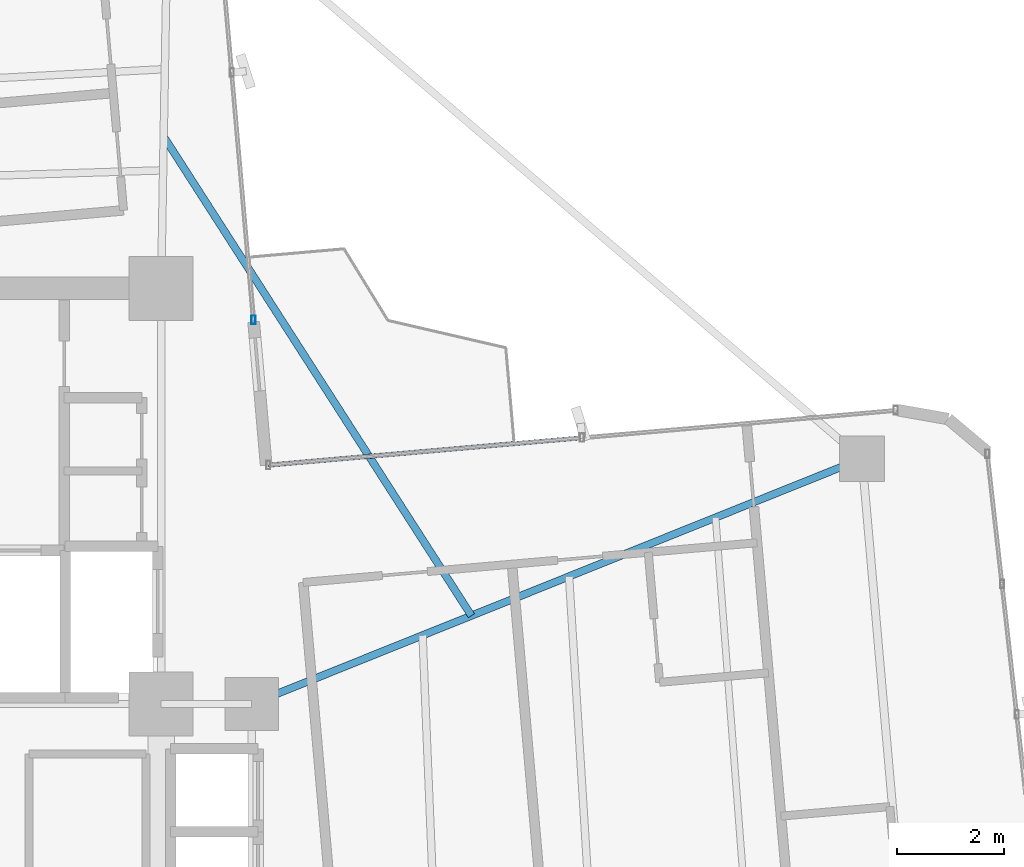
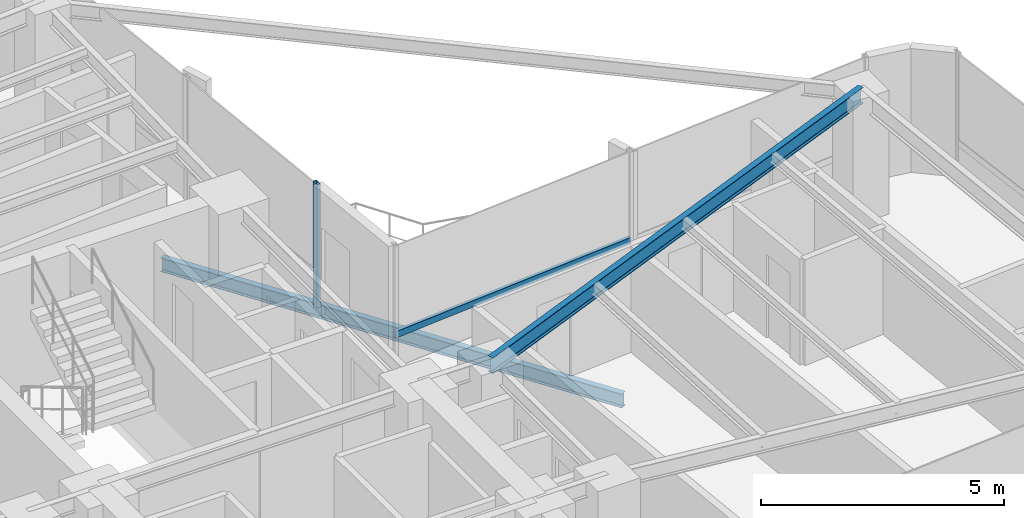
# One storey, part 12 of 24: 2 beams, 2 members, 2 elements without a shape of their own.
"""IFC4 building model written with IfcOpenShell, lengths in metres."""

import ifcopenshell
import ifcopenshell.guid

model = None  # the IFC model being written
_history = None  # IfcOwnerHistory: only IFC2X3 demands one
_inside = {}  # id of a spatial element -> (the spatial element, [elements in it])
_under = {}  # id of a project, library or spatial element -> (it, [spatial elements below it])
_declared = {}  # id of a project -> (the project, [libraries it declares])
_typed = {}  # id of a type object -> (the type object, [elements of that type])
_made_of = {}  # id of a material, layer set ... -> (it, [elements and type objects made of it])


def new_model(schema):
    """Start an empty IFC model of exactly this schema.

    Asked for "IFC4X3", IfcOpenShell would pick the latest addendum, in which some entities
    have other attributes; the version numbers below select the first issue.
    IFC2X3 requires an IfcOwnerHistory on every rooted entity: one is made here for all.
    """
    global model, _history
    if schema == "IFC4X3":
        model = ifcopenshell.file(schema_version=(4, 3, 0, 0))
    else:
        model = ifcopenshell.file(schema=schema)
    _inside.clear()
    _under.clear()
    _declared.clear()
    _typed.clear()
    _made_of.clear()
    _history = None
    if model.schema == "IFC2X3":
        org = make("IfcOrganization", Name="unknown")
        user = make(
            "IfcPersonAndOrganization",
            ThePerson=make("IfcPerson", FamilyName="unknown"),
            TheOrganization=org,
        )
        app = make(
            "IfcApplication",
            ApplicationDeveloper=org,
            Version="unknown",
            ApplicationFullName="unknown",
            ApplicationIdentifier="unknown",
        )
        _history = make(
            "IfcOwnerHistory",
            OwningUser=user,
            OwningApplication=app,
            ChangeAction="ADDED",
            CreationDate=0,
        )
    return model


def make(cls, **values):
    """One entity of the class cls with the attributes given. An attribute that is None is left unset."""
    return model.create_entity(
        cls, **{name: value for name, value in values.items() if value is not None}
    )


def rooted(cls, **values):
    """An entity with a GlobalId (a new one), such as an element, a storey or a relation."""
    return make(cls, GlobalId=ifcopenshell.guid.new(), OwnerHistory=_history, **values)


def si_unit(unit_type, name, prefix=None):
    """IfcSIUnit, for example si_unit("LENGTHUNIT", "METRE", prefix="MILLI")."""
    return make("IfcSIUnit", UnitType=unit_type, Prefix=prefix, Name=name)


def assignment(units):
    """IfcUnitAssignment: the units of a project."""
    return None if units is None else make("IfcUnitAssignment", Units=units)


def point(xyz):
    """IfcCartesianPoint."""
    return None if xyz is None else make("IfcCartesianPoint", Coordinates=xyz)


def direction(xyz):
    """IfcDirection."""
    return None if xyz is None else make("IfcDirection", DirectionRatios=xyz)


def frame(location, z_axis=None, x_axis=None):
    """IfcAxis2Placement3D, a coordinate frame: its origin and axes. An axis left out is left unset."""
    return make(
        "IfcAxis2Placement3D",
        Location=point(location),
        Axis=direction(z_axis),
        RefDirection=direction(x_axis),
    )


def frame_2d(location, x_axis=None):
    """IfcAxis2Placement2D, a coordinate frame in the plane: its origin and x axis."""
    return make(
        "IfcAxis2Placement2D", Location=point(location), RefDirection=direction(x_axis)
    )


def origin():
    """The frame at (0, 0, 0) with its axes left unset."""
    return frame((0.0, 0.0, 0.0))


def origin_2d():
    """The frame at (0, 0) in the plane with its x axis left unset."""
    return frame_2d((0.0, 0.0))


def place(relative_to, where):
    """IfcLocalPlacement: puts the frame where relative to a parent placement (None: the world)."""
    return make(
        "IfcLocalPlacement", PlacementRelTo=relative_to, RelativePlacement=where
    )


def context(
    kind, dimensions, precision=None, world=None, true_north=None, identifier=None
):
    """IfcGeometricRepresentationContext, for example the 3D "Model" context."""
    return make(
        "IfcGeometricRepresentationContext",
        ContextIdentifier=identifier,
        ContextType=kind,
        CoordinateSpaceDimension=dimensions,
        Precision=precision,
        WorldCoordinateSystem=world,
        TrueNorth=true_north,
    )


def subcontext(parent, identifier, kind, view, scale=None):
    """IfcGeometricRepresentationSubContext, for example "Body" below "Model"."""
    return make(
        "IfcGeometricRepresentationSubContext",
        ContextIdentifier=identifier,
        ContextType=kind,
        ParentContext=parent,
        TargetScale=scale,
        TargetView=view,
    )


def project(units=None, contexts=None):
    """IfcProject with its units and contexts."""
    return rooted(
        "IfcProject",
        Name="project",
        RepresentationContexts=contexts,
        UnitsInContext=assignment(units),
    )


def spatial(cls, under=None, at=None, **own):
    """A site, building, storey or space (cls), placed at a placement, below another one or the project."""
    s = rooted(cls, ObjectPlacement=at, **own)
    if under is not None:
        _under.setdefault(under.id(), (under, []))[1].append(s)
    return s


def profile(cls, at=None, kind="AREA", **sizes):
    """A parametric profile (cls). Its sizes go by their IFC names, for example OverallWidth=200.0."""
    return make(cls, ProfileType=kind, Position=at, **sizes)


def hollow_rectangle(**sizes):
    """IfcRectangleHollowProfileDef."""
    return profile("IfcRectangleHollowProfileDef", **sizes)


def i_section(**sizes):
    """IfcIShapeProfileDef."""
    return profile("IfcIShapeProfileDef", **sizes)


def extrude(swept, where, along, depth):
    """IfcExtrudedAreaSolid: the profile swept, set in the frame where, extruded along a direction by depth."""
    return make(
        "IfcExtrudedAreaSolid",
        SweptArea=swept,
        Position=where,
        ExtrudedDirection=direction(along),
        Depth=depth,
    )


def shape(context_of_items, identifier, shape_type, items):
    """IfcShapeRepresentation: the items that make up one representation, for example the "Body"."""
    return make(
        "IfcShapeRepresentation",
        ContextOfItems=context_of_items,
        RepresentationIdentifier=identifier,
        RepresentationType=shape_type,
        Items=items,
    )


def source(mapping_origin, context_of_items, identifier, shape_type, items):
    """IfcRepresentationMap: a shape defined once, which mapped items show again and again."""
    return make(
        "IfcRepresentationMap",
        MappingOrigin=mapping_origin,
        MappedRepresentation=shape(context_of_items, identifier, shape_type, items),
    )


def transform(
    local_origin,
    x_axis=None,
    y_axis=None,
    z_axis=None,
    scale=None,
    scale2=None,
    scale3=None,
    uniform=True,
):
    """IfcCartesianTransformationOperator3D, or its non-uniform kind. x_axis, y_axis, z_axis: its Axis1, 2, 3."""
    if uniform:
        return make(
            "IfcCartesianTransformationOperator3D",
            Axis1=direction(x_axis),
            Axis2=direction(y_axis),
            LocalOrigin=point(local_origin),
            Scale=scale,
            Axis3=direction(z_axis),
        )
    return make(
        "IfcCartesianTransformationOperator3DnonUniform",
        Axis1=direction(x_axis),
        Axis2=direction(y_axis),
        LocalOrigin=point(local_origin),
        Scale=scale,
        Axis3=direction(z_axis),
        Scale2=scale2,
        Scale3=scale3,
    )


def mapped(mapping_source, mapping_target):
    """IfcMappedItem: shows the shape of a source again, moved by a transform."""
    return make(
        "IfcMappedItem", MappingSource=mapping_source, MappingTarget=mapping_target
    )


def material(Name=None, Category=None):
    """IfcMaterial."""
    return make("IfcMaterial", Name=Name, Category=Category)


def material_profile(
    of_material, cross_section, Name=None, Category=None, Priority=None
):
    """IfcMaterialProfile: a cross section and its material."""
    return make(
        "IfcMaterialProfile",
        Name=Name,
        Material=of_material,
        Profile=cross_section,
        Priority=Priority,
        Category=Category,
    )


def profile_set(profiles, Name=None, composite=None):
    """IfcMaterialProfileSet."""
    return make(
        "IfcMaterialProfileSet",
        Name=Name,
        MaterialProfiles=profiles,
        CompositeProfile=composite,
    )


def made_of(thing, what):
    """Note that an element or type object is made of a material, layer set ...; save() writes the relation."""
    if what is not None:
        _made_of.setdefault(what.id(), (what, []))[1].append(thing)
    return thing


def type_object(cls, material=None, **own):
    """A type object (cls), such as IfcWallType, which elements share."""
    return made_of(rooted(cls, **own), material)


def element(
    cls,
    number,
    at=None,
    inside=None,
    cuts=None,
    type_object=None,
    material=None,
    context=None,
    identifier="Body",
    shape_type=None,
    held_by="IfcProductDefinitionShape",
    body=None,
    shapes=None,
    **own,
):
    """One element of the class cls, such as IfcWall. Its Tag is "e" and its number.

    at: its placement. inside: the storey or other place that contains it. cuts: it is an
    opening in that element (IfcRelVoidsElement). A single representation is given by context,
    identifier, shape_type and body (its items); several are given by shapes. held_by: the class
    of the entity that holds the representations. save() writes the other relations.
    """
    e = rooted(cls, Tag="e%d" % number, ObjectPlacement=at, **own)
    if body is not None:
        shapes = [shape(context, identifier, shape_type, body)]
    if shapes is not None:
        e.Representation = make(held_by, Representations=shapes)
    if inside is not None:
        _inside.setdefault(inside.id(), (inside, []))[1].append(e)
    if cuts is not None:
        rooted(
            "IfcRelVoidsElement", RelatingBuildingElement=cuts, RelatedOpeningElement=e
        )
    if type_object is not None:
        _typed.setdefault(type_object.id(), (type_object, []))[1].append(e)
    return made_of(e, material)


def aggregate(whole, parts):
    """IfcRelAggregates: a whole, such as a stair, and the parts it consists of."""
    return rooted("IfcRelAggregates", RelatingObject=whole, RelatedObjects=parts)


def save(model, path):
    """Write the relations noted so far, then the file.

    IfcRelAggregates (storeys below a building ...), IfcRelContainedInSpatialStructure (elements
    in a storey), IfcRelDefinesByType, IfcRelAssociatesMaterial and IfcRelDeclares: one each for
    every whole, place, type object, material and project.
    """
    for whole, parts in _under.values():
        aggregate(whole, parts)
    for where, things in _inside.values():
        rooted(
            "IfcRelContainedInSpatialStructure",
            RelatedElements=things,
            RelatingStructure=where,
        )
    for kind, things in _typed.values():
        rooted("IfcRelDefinesByType", RelatedObjects=things, RelatingType=kind)
    for what, things in _made_of.values():
        rooted("IfcRelAssociatesMaterial", RelatedObjects=things, RelatingMaterial=what)
    for by, libraries in _declared.values():
        rooted("IfcRelDeclares", RelatingContext=by, RelatedDefinitions=libraries)
    model.write(path)


model = new_model("IFC4")

# Units and contexts
model_context = context("Model", 3, precision=1e-05, world=origin(), true_north=direction((0.0, 1.0)))
body_context = subcontext(model_context, "Body", "Model", "MODEL_VIEW")
ifc_project = project(units=[si_unit("LENGTHUNIT", "METRE"), si_unit("AREAUNIT", "SQUARE_METRE"), si_unit("VOLUMEUNIT", "CUBIC_METRE"), si_unit("PLANEANGLEUNIT", "RADIAN"), si_unit("MASSUNIT", "GRAM", prefix="KILO")], contexts=[model_context])

# Site, building, storey
site_placement = place(None, origin())
site = spatial("IfcSite", under=ifc_project, at=site_placement, CompositionType="ELEMENT")
building_placement = place(site_placement, origin())
building = spatial("IfcBuilding", under=site, at=building_placement, Name="Sahyath Konkavel Grand Hotel", CompositionType="ELEMENT")
storey_placement = place(building_placement, frame((0.0, 0.0, 150.60009765625)))
storey = spatial("IfcBuildingStorey", under=building, at=storey_placement, Name="L41", CompositionType="ELEMENT", Elevation=150.60009765625)

# Beam
ifc_material_1 = material(Name="Steel E350", Category="steel")
ifc_material_profile_1 = material_profile(ifc_material_1, i_section(OverallWidth=0.139892578125, OverallDepth=0.39990234375, WebThickness=0.0087890625, FlangeThickness=0.01611328125, FilletRadius=0.013916015625, at=origin_2d()), Name="ISMB 400")
ifc_profile_set_1 = profile_set([ifc_material_profile_1], Name="Steel E350")
beam_type_1 = type_object("IfcBeamType", Name="BM-ISMB400", PredefinedType="BEAM", material=ifc_profile_set_1)
shared_shape_1 = source(origin(), body_context, "Body", "SweptSolid", [
    extrude(i_section(OverallWidth=0.139892578125, OverallDepth=0.39990234375, WebThickness=0.0087890625, FlangeThickness=0.01611328125, FilletRadius=0.013916015625, at=origin_2d()), origin(), (0.0, 0.0, 1.0), 12.344970703125),
])
beam_1_placement = place(storey_placement, frame((5.5, 2.39990234375, 2.909912109375), z_axis=(0.927837014101, 0.372985891507, 0.0), x_axis=(-0.372985891507, 0.927837014101, 0.0)))
element("IfcBeam", 1, at=beam_1_placement, inside=storey, type_object=beam_type_1, Name="L41 Cruciform Radial Girder EB", PredefinedType="BEAM", context=body_context, shape_type="MappedRepresentation", body=[
    mapped(shared_shape_1, transform((0.0, 0.0, 0.0), scale=1.0)),
])

# Curtain wall, member
ifc_material_2 = material(Name="Anodised Bronze Aluminium & Low-E Glazing", Category="aluminium")
curtain_wall_type = type_object("IfcCurtainWallType", Name="CW-ZONE3", PredefinedType="NOTDEFINED", material=ifc_material_2)
curtain_wall_1_placement = place(storey_placement, origin())
curtain_wall_1 = element("IfcCurtainWall", 2, at=curtain_wall_1_placement, inside=storey, type_object=curtain_wall_type, Name="L41 Unitised Curtain Wall F8", PredefinedType="NOTDEFINED")
ifc_material_3 = material(Name="Anodised Bronze Aluminium", Category="aluminium")
ifc_material_profile_2 = material_profile(ifc_material_3, hollow_rectangle(XDim=0.080078125, YDim=0.159912109375, WallThickness=0.006103515625, at=origin_2d()), Name="RHS 160x80x6")
ifc_profile_set_2 = profile_set([ifc_material_profile_2], Name="Anodised Bronze Aluminium")
member_type_1 = type_object("IfcMemberType", Name="CW-MUL-160", PredefinedType="MULLION", material=ifc_profile_set_2)
shared_shape_2 = source(origin(), body_context, "Body", "SweptSolid", [
    extrude(hollow_rectangle(XDim=0.080078125, YDim=0.159912109375, WallThickness=0.006103515625, at=origin_2d()), origin(), (0.0, 0.0, 1.0), 3.10986328125),
])
member_1_placement = place(storey_placement, frame((5.53369140625, 9.60888671875, 0.0), z_axis=(0.0, 0.0, 1.0), x_axis=(1.0, 0.0, 0.0)))
member_1 = element("IfcMember", 3, at=member_1_placement, type_object=member_type_1, Name="L41 Curtain Wall Mullion F8-0", PredefinedType="MULLION", context=body_context, shape_type="MappedRepresentation", body=[
    mapped(shared_shape_2, transform((0.0, 0.0, 0.0), scale=1.0)),
])
aggregate(curtain_wall_1, [member_1])

curtain_wall_2_placement = place(storey_placement, origin())
curtain_wall_2 = element("IfcCurtainWall", 4, at=curtain_wall_2_placement, inside=storey, type_object=curtain_wall_type, Name="L41 Unitised Curtain Wall F7", PredefinedType="NOTDEFINED")
ifc_material_profile_3 = material_profile(ifc_material_3, hollow_rectangle(XDim=0.080078125, YDim=0.159912109375, WallThickness=0.006103515625, at=origin_2d()), Name="RHS 160x80x6")
ifc_profile_set_3 = profile_set([ifc_material_profile_3], Name="Anodised Bronze Aluminium")
member_type_2 = type_object("IfcMemberType", Name="CW-TRN-160", PredefinedType="USERDEFINED", material=ifc_profile_set_3)
shared_shape_3 = source(origin(), body_context, "Body", "SweptSolid", [
    extrude(hollow_rectangle(XDim=0.080078125, YDim=0.159912109375, WallThickness=0.006103515625, at=origin_2d()), origin(), (0.0, 0.0, 1.0), 5.909912109375),
])
member_2_placement = place(storey_placement, frame((11.69970703125, 7.39794921875, 0.849853515625), z_axis=(-0.996193941691, -0.087164388014, 0.0), x_axis=(0.087164388014, -0.996193941691, 0.0)))
member_2 = element("IfcMember", 5, at=member_2_placement, type_object=member_type_2, Name="L41 Curtain Wall Transom F7-1-spandrel", ObjectType="TRANSOM", PredefinedType="USERDEFINED", context=body_context, shape_type="MappedRepresentation", body=[
    mapped(shared_shape_3, transform((0.0, 0.0, 0.0), scale=1.0)),
])
aggregate(curtain_wall_2, [member_2])

# Beam
ifc_material_profile_4 = material_profile(ifc_material_1, i_section(OverallWidth=0.139892578125, OverallDepth=0.35009765625, WebThickness=0.008056640625, FlangeThickness=0.01416015625, FilletRadius=0.013916015625, at=origin_2d()), Name="ISMB 350")
ifc_profile_set_4 = profile_set([ifc_material_profile_4], Name="Steel E350")
beam_type_2 = type_object("IfcBeamType", Name="BM-BALC-CANT", PredefinedType="BEAM", material=ifc_profile_set_4)
shared_shape_4 = source(origin(), body_context, "Body", "SweptSolid", [
    extrude(i_section(OverallWidth=0.139892578125, OverallDepth=0.35009765625, WebThickness=0.008056640625, FlangeThickness=0.01416015625, FilletRadius=0.013916015625, at=origin_2d()), origin(), (0.0, 0.0, 1.0), 10.685302734375),
])
beam_2_placement = place(storey_placement, frame((9.62353515625, 4.0576171875, -0.4150390625), z_axis=(-0.540404181048, 0.841405562797, 0.0), x_axis=(-0.841405562797, -0.540404181048, 0.0)))
element("IfcBeam", 6, at=beam_2_placement, inside=storey, type_object=beam_type_2, Name="L41 Balcony Cantilever Support Beam NE", PredefinedType="BEAM", context=body_context, shape_type="MappedRepresentation", body=[
    mapped(shared_shape_4, transform((0.0, 0.0, 0.0), scale=1.0)),
])

save(model, "model.ifc")
